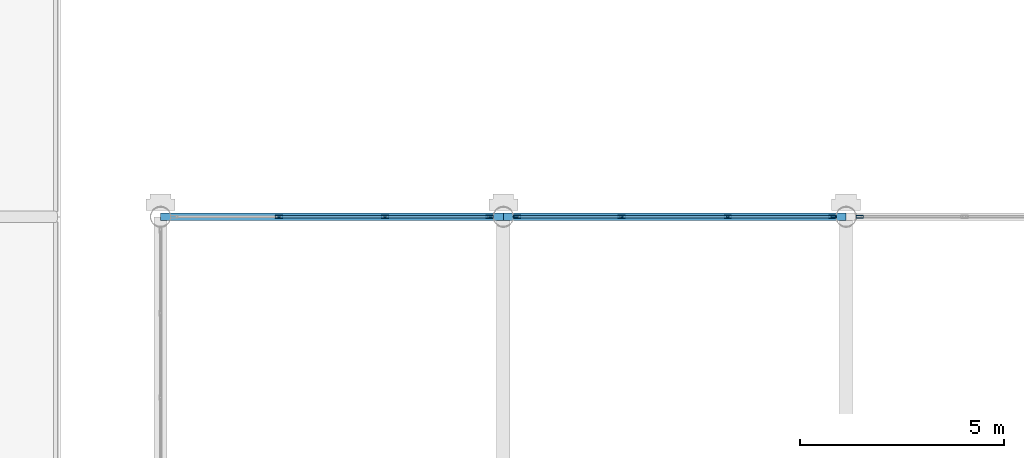
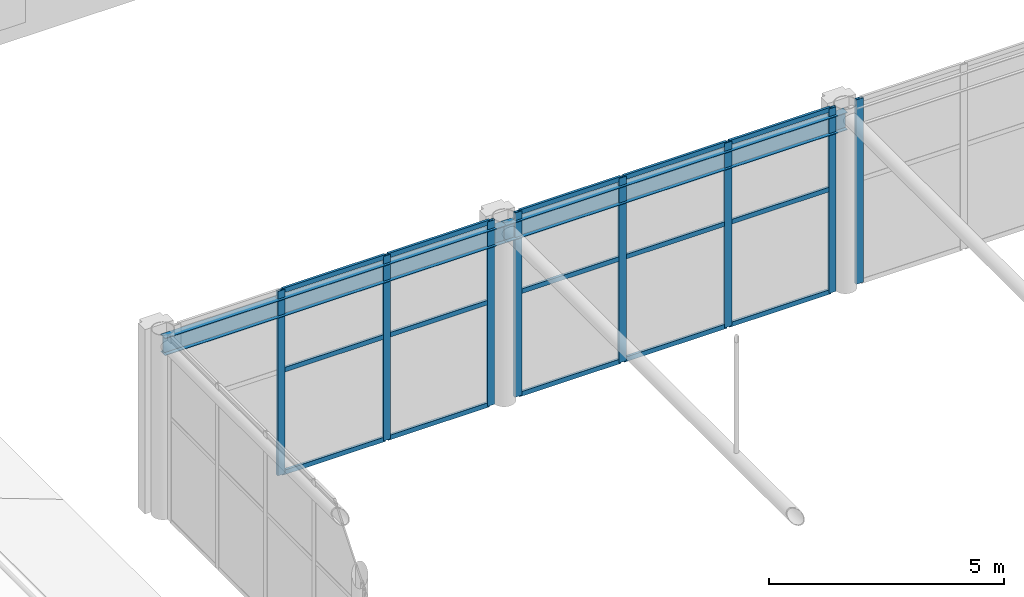
# One storey, part 77 of 167: 23 members, 2 beams, 3 elements without a shape of their own.
"""IFC4 building model written with IfcOpenShell, lengths in metres."""

from ifc_helpers import new_model, si_unit, direction, frame, origin, origin_2d, place, context, subcontext, project, spatial, hollow_rectangle, i_section, extrude, material, material_profile, profile_set, type_object, element, aggregate, save


model = new_model("IFC4")

# Units and contexts
model_context = context("Model", 3, precision=1e-05, world=origin(), true_north=direction((0.0, 1.0)))
body_context = subcontext(model_context, "Body", "Model", "MODEL_VIEW")
ifc_project = project(units=[si_unit("LENGTHUNIT", "METRE"), si_unit("AREAUNIT", "SQUARE_METRE"), si_unit("VOLUMEUNIT", "CUBIC_METRE"), si_unit("PLANEANGLEUNIT", "RADIAN"), si_unit("MASSUNIT", "GRAM", prefix="KILO")], contexts=[model_context])

# Site, building, storey
site_placement = place(None, origin())
site = spatial("IfcSite", under=ifc_project, at=site_placement, CompositionType="ELEMENT")
building_placement = place(site_placement, origin())
building = spatial("IfcBuilding", under=site, at=building_placement, Name="Catenary Quay Ferry Terminal", CompositionType="ELEMENT")
storey_placement = place(building_placement, frame((0.0, 0.0, 6.0)))
storey = spatial("IfcBuildingStorey", under=building, at=storey_placement, Name="L01", CompositionType="ELEMENT", Elevation=6.0)

# Beams
ifc_material_1 = material(Name="Steel S355", Category="steel")
ifc_material_profile_1 = material_profile(ifc_material_1, i_section(OverallWidth=0.18994140625, OverallDepth=0.453369140625, WebThickness=0.008544921875, FlangeThickness=0.0126953125, at=origin_2d()), Name="UB 457x191x67")
ifc_profile_set_1 = profile_set([ifc_material_profile_1], Name="Steel S355")
beam_type = type_object("IfcBeamType", Name="B1 UB 457x191x67", PredefinedType="BEAM", material=ifc_profile_set_1)
beam_1_placement = place(storey_placement, frame((25.199951171875, 142.800048828125, 4.373046875), z_axis=(1.0, 0.0, 0.0), x_axis=(0.0, 1.0, 0.0)))
element("IfcBeam", 1, at=beam_1_placement, inside=storey, type_object=beam_type, Name="Beam B1-025", PredefinedType="BEAM", context=body_context, shape_type="SweptSolid", body=[
    extrude(i_section(OverallWidth=0.18994140625, OverallDepth=0.453369140625, WebThickness=0.008544921875, FlangeThickness=0.0126953125, at=origin_2d()), origin(), (0.0, 0.0, 1.0), 8.400146484375),
])
beam_2_placement = place(storey_placement, frame((33.60009765625, 142.800048828125, 4.373046875), z_axis=(1.0, 0.0, 0.0), x_axis=(0.0, 1.0, 0.0)))
element("IfcBeam", 2, at=beam_2_placement, inside=storey, type_object=beam_type, Name="Beam B1-026", PredefinedType="BEAM", context=body_context, shape_type="SweptSolid", body=[
    extrude(i_section(OverallWidth=0.18994140625, OverallDepth=0.453369140625, WebThickness=0.008544921875, FlangeThickness=0.0126953125, at=origin_2d()), origin(), (0.0, 0.0, 1.0), 8.39990234375),
])

# Curtain wall, members
ifc_material_2 = material(Name="Aluminium and glass", Category="aluminium")
curtain_wall_type = type_object("IfcCurtainWallType", Name="CWH", PredefinedType="NOTDEFINED", material=ifc_material_2)
curtain_wall_1_placement = place(storey_placement, origin())
curtain_wall_1 = element("IfcCurtainWall", 3, at=curtain_wall_1_placement, inside=storey, type_object=curtain_wall_type, Name="Hall curtain wall CW48", PredefinedType="NOTDEFINED")
ifc_material_3 = material(Name="Aluminium", Category="aluminium")
ifc_material_profile_2 = material_profile(ifc_material_3, hollow_rectangle(XDim=0.070068359375, YDim=0.179931640625, WallThickness=0.006103515625, at=origin_2d()), Name="MU3")
ifc_profile_set_2 = profile_set([ifc_material_profile_2], Name="Aluminium")
member_type_1 = type_object("IfcMemberType", Name="MU3", PredefinedType="MULLION", material=ifc_profile_set_2)
member_1_placement = place(storey_placement, frame((28.10009765625, 142.800048828125, 0.0), z_axis=(0.0, 0.0, 1.0), x_axis=(0.0, 1.0, 0.0)))
member_1 = element("IfcMember", 4, at=member_1_placement, type_object=member_type_1, Name="CW48 mullion 2", PredefinedType="MULLION", context=body_context, shape_type="SweptSolid", body=[
    extrude(hollow_rectangle(XDim=0.070068359375, YDim=0.179931640625, WallThickness=0.006103515625, at=origin_2d()), origin(), (0.0, 0.0, 1.0), 4.800048828125),
])
member_2_placement = place(storey_placement, frame((30.699951171875, 142.800048828125, 0.0), z_axis=(0.0, 0.0, 1.0), x_axis=(0.0, 1.0, 0.0)))
member_2 = element("IfcMember", 5, at=member_2_placement, type_object=member_type_1, Name="CW48 mullion 3", PredefinedType="MULLION", context=body_context, shape_type="SweptSolid", body=[
    extrude(hollow_rectangle(XDim=0.070068359375, YDim=0.179931640625, WallThickness=0.006103515625, at=origin_2d()), origin(), (0.0, 0.0, 1.0), 4.800048828125),
])
member_3_placement = place(storey_placement, frame((33.264892578125, 142.800048828125, 0.0), z_axis=(0.0, 0.0, 1.0), x_axis=(0.0, 1.0, 0.0)))
member_3 = element("IfcMember", 6, at=member_3_placement, type_object=member_type_1, Name="CW48 mullion 4", PredefinedType="MULLION", context=body_context, shape_type="SweptSolid", body=[
    extrude(hollow_rectangle(XDim=0.070068359375, YDim=0.179931640625, WallThickness=0.006103515625, at=origin_2d()), origin(), (0.0, 0.0, 1.0), 4.800048828125),
])

curtain_wall_2_placement = place(storey_placement, origin())
curtain_wall_2 = element("IfcCurtainWall", 7, at=curtain_wall_2_placement, inside=storey, type_object=curtain_wall_type, Name="Hall curtain wall CW49", PredefinedType="NOTDEFINED")
member_4_placement = place(storey_placement, frame((33.93505859375, 142.800048828125, 0.0), z_axis=(0.0, 0.0, 1.0), x_axis=(0.0, 1.0, 0.0)))
member_4 = element("IfcMember", 8, at=member_4_placement, type_object=member_type_1, Name="CW49 mullion 1", PredefinedType="MULLION", context=body_context, shape_type="SweptSolid", body=[
    extrude(hollow_rectangle(XDim=0.070068359375, YDim=0.179931640625, WallThickness=0.006103515625, at=origin_2d()), origin(), (0.0, 0.0, 1.0), 4.800048828125),
])
member_5_placement = place(storey_placement, frame((36.5, 142.800048828125, 0.0), z_axis=(0.0, 0.0, 1.0), x_axis=(0.0, 1.0, 0.0)))
member_5 = element("IfcMember", 9, at=member_5_placement, type_object=member_type_1, Name="CW49 mullion 2", PredefinedType="MULLION", context=body_context, shape_type="SweptSolid", body=[
    extrude(hollow_rectangle(XDim=0.070068359375, YDim=0.179931640625, WallThickness=0.006103515625, at=origin_2d()), origin(), (0.0, 0.0, 1.0), 4.800048828125),
])
member_6_placement = place(storey_placement, frame((39.10009765625, 142.800048828125, 0.0), z_axis=(0.0, 0.0, 1.0), x_axis=(0.0, 1.0, 0.0)))
member_6 = element("IfcMember", 10, at=member_6_placement, type_object=member_type_1, Name="CW49 mullion 3", PredefinedType="MULLION", context=body_context, shape_type="SweptSolid", body=[
    extrude(hollow_rectangle(XDim=0.070068359375, YDim=0.179931640625, WallThickness=0.006103515625, at=origin_2d()), origin(), (0.0, 0.0, 1.0), 4.800048828125),
])
member_7_placement = place(storey_placement, frame((41.6650390625, 142.800048828125, 0.0), z_axis=(0.0, 0.0, 1.0), x_axis=(0.0, 1.0, 0.0)))
member_7 = element("IfcMember", 11, at=member_7_placement, type_object=member_type_1, Name="CW49 mullion 4", PredefinedType="MULLION", context=body_context, shape_type="SweptSolid", body=[
    extrude(hollow_rectangle(XDim=0.070068359375, YDim=0.179931640625, WallThickness=0.006103515625, at=origin_2d()), origin(), (0.0, 0.0, 1.0), 4.800048828125),
])

# Curtain wall, member
curtain_wall_3_placement = place(storey_placement, origin())
curtain_wall_3 = element("IfcCurtainWall", 12, at=curtain_wall_3_placement, inside=storey, type_object=curtain_wall_type, Name="Hall curtain wall CW50", PredefinedType="NOTDEFINED")
member_8_placement = place(storey_placement, frame((42.3349609375, 142.800048828125, 0.0), z_axis=(0.0, 0.0, 1.0), x_axis=(0.0, 1.0, 0.0)))
member_8 = element("IfcMember", 13, at=member_8_placement, type_object=member_type_1, Name="CW50 mullion 1", PredefinedType="MULLION", context=body_context, shape_type="SweptSolid", body=[
    extrude(hollow_rectangle(XDim=0.070068359375, YDim=0.179931640625, WallThickness=0.006103515625, at=origin_2d()), origin(), (0.0, 0.0, 1.0), 4.800048828125),
])
aggregate(curtain_wall_3, [member_8])

# Member
ifc_material_4 = material(Name="Aluminium", Category="aluminium")
ifc_material_profile_3 = material_profile(ifc_material_4, hollow_rectangle(XDim=0.06005859375, YDim=0.1201171875, WallThickness=0.0048828125, at=origin_2d()), Name="TR3")
ifc_profile_set_3 = profile_set([ifc_material_profile_3], Name="Aluminium")
member_type_2 = type_object("IfcMemberType", Name="TR3", PredefinedType="USERDEFINED", material=ifc_profile_set_3)
member_9_placement = place(storey_placement, frame((28.135009765625, 142.800048828125, 0.030029296875), z_axis=(1.0, 0.0, 0.0), x_axis=(0.0, 1.0, 0.0)))
member_9 = element("IfcMember", 14, at=member_9_placement, type_object=member_type_2, Name="CW48 transom 2.1", ObjectType="TRANSOM", PredefinedType="USERDEFINED", context=body_context, shape_type="SweptSolid", body=[
    extrude(hollow_rectangle(XDim=0.06005859375, YDim=0.1201171875, WallThickness=0.0048828125, at=origin_2d()), origin(), (0.0, 0.0, 1.0), 2.530029296875),
])

member_10_placement = place(storey_placement, frame((28.135009765625, 142.800048828125, 2.699951171875), z_axis=(1.0, 0.0, 0.0), x_axis=(0.0, 1.0, 0.0)))
member_10 = element("IfcMember", 15, at=member_10_placement, type_object=member_type_2, Name="CW48 transom 2.2", ObjectType="TRANSOM", PredefinedType="USERDEFINED", context=body_context, shape_type="SweptSolid", body=[
    extrude(hollow_rectangle(XDim=0.06005859375, YDim=0.1201171875, WallThickness=0.0048828125, at=origin_2d()), origin(), (0.0, 0.0, 1.0), 2.530029296875),
])

member_11_placement = place(storey_placement, frame((28.135009765625, 142.800048828125, 4.77001953125), z_axis=(1.0, 0.0, 0.0), x_axis=(0.0, 1.0, 0.0)))
member_11 = element("IfcMember", 16, at=member_11_placement, type_object=member_type_2, Name="CW48 transom 2.3", ObjectType="TRANSOM", PredefinedType="USERDEFINED", context=body_context, shape_type="SweptSolid", body=[
    extrude(hollow_rectangle(XDim=0.06005859375, YDim=0.1201171875, WallThickness=0.0048828125, at=origin_2d()), origin(), (0.0, 0.0, 1.0), 2.530029296875),
])

member_12_placement = place(storey_placement, frame((30.735107421875, 142.800048828125, 0.030029296875), z_axis=(1.0, 0.0, 0.0), x_axis=(0.0, 1.0, 0.0)))
member_12 = element("IfcMember", 17, at=member_12_placement, type_object=member_type_2, Name="CW48 transom 3.1", ObjectType="TRANSOM", PredefinedType="USERDEFINED", context=body_context, shape_type="SweptSolid", body=[
    extrude(hollow_rectangle(XDim=0.06005859375, YDim=0.1201171875, WallThickness=0.0048828125, at=origin_2d()), origin(), (0.0, 0.0, 1.0), 2.494873046875),
])

member_13_placement = place(storey_placement, frame((30.735107421875, 142.800048828125, 2.699951171875), z_axis=(1.0, 0.0, 0.0), x_axis=(0.0, 1.0, 0.0)))
member_13 = element("IfcMember", 18, at=member_13_placement, type_object=member_type_2, Name="CW48 transom 3.2", ObjectType="TRANSOM", PredefinedType="USERDEFINED", context=body_context, shape_type="SweptSolid", body=[
    extrude(hollow_rectangle(XDim=0.06005859375, YDim=0.1201171875, WallThickness=0.0048828125, at=origin_2d()), origin(), (0.0, 0.0, 1.0), 2.494873046875),
])

member_14_placement = place(storey_placement, frame((30.735107421875, 142.800048828125, 4.77001953125), z_axis=(1.0, 0.0, 0.0), x_axis=(0.0, 1.0, 0.0)))
member_14 = element("IfcMember", 19, at=member_14_placement, type_object=member_type_2, Name="CW48 transom 3.3", ObjectType="TRANSOM", PredefinedType="USERDEFINED", context=body_context, shape_type="SweptSolid", body=[
    extrude(hollow_rectangle(XDim=0.06005859375, YDim=0.1201171875, WallThickness=0.0048828125, at=origin_2d()), origin(), (0.0, 0.0, 1.0), 2.494873046875),
])

aggregate(curtain_wall_1, [member_1, member_2, member_3, member_9, member_10, member_11, member_12, member_13, member_14])

member_15_placement = place(storey_placement, frame((33.969970703125, 142.800048828125, 0.030029296875), z_axis=(1.0, 0.0, 0.0), x_axis=(0.0, 1.0, 0.0)))
member_15 = element("IfcMember", 20, at=member_15_placement, type_object=member_type_2, Name="CW49 transom 1.1", ObjectType="TRANSOM", PredefinedType="USERDEFINED", context=body_context, shape_type="SweptSolid", body=[
    extrude(hollow_rectangle(XDim=0.06005859375, YDim=0.1201171875, WallThickness=0.0048828125, at=origin_2d()), origin(), (0.0, 0.0, 1.0), 2.4951171875),
])

member_16_placement = place(storey_placement, frame((33.969970703125, 142.800048828125, 2.699951171875), z_axis=(1.0, 0.0, 0.0), x_axis=(0.0, 1.0, 0.0)))
member_16 = element("IfcMember", 21, at=member_16_placement, type_object=member_type_2, Name="CW49 transom 1.2", ObjectType="TRANSOM", PredefinedType="USERDEFINED", context=body_context, shape_type="SweptSolid", body=[
    extrude(hollow_rectangle(XDim=0.06005859375, YDim=0.1201171875, WallThickness=0.0048828125, at=origin_2d()), origin(), (0.0, 0.0, 1.0), 2.4951171875),
])

member_17_placement = place(storey_placement, frame((33.969970703125, 142.800048828125, 4.77001953125), z_axis=(1.0, 0.0, 0.0), x_axis=(0.0, 1.0, 0.0)))
member_17 = element("IfcMember", 22, at=member_17_placement, type_object=member_type_2, Name="CW49 transom 1.3", ObjectType="TRANSOM", PredefinedType="USERDEFINED", context=body_context, shape_type="SweptSolid", body=[
    extrude(hollow_rectangle(XDim=0.06005859375, YDim=0.1201171875, WallThickness=0.0048828125, at=origin_2d()), origin(), (0.0, 0.0, 1.0), 2.4951171875),
])

member_18_placement = place(storey_placement, frame((36.534912109375, 142.800048828125, 0.030029296875), z_axis=(1.0, 0.0, 0.0), x_axis=(0.0, 1.0, 0.0)))
member_18 = element("IfcMember", 23, at=member_18_placement, type_object=member_type_2, Name="CW49 transom 2.1", ObjectType="TRANSOM", PredefinedType="USERDEFINED", context=body_context, shape_type="SweptSolid", body=[
    extrude(hollow_rectangle(XDim=0.06005859375, YDim=0.1201171875, WallThickness=0.0048828125, at=origin_2d()), origin(), (0.0, 0.0, 1.0), 2.530029296875),
])

member_19_placement = place(storey_placement, frame((36.534912109375, 142.800048828125, 2.699951171875), z_axis=(1.0, 0.0, 0.0), x_axis=(0.0, 1.0, 0.0)))
member_19 = element("IfcMember", 24, at=member_19_placement, type_object=member_type_2, Name="CW49 transom 2.2", ObjectType="TRANSOM", PredefinedType="USERDEFINED", context=body_context, shape_type="SweptSolid", body=[
    extrude(hollow_rectangle(XDim=0.06005859375, YDim=0.1201171875, WallThickness=0.0048828125, at=origin_2d()), origin(), (0.0, 0.0, 1.0), 2.530029296875),
])

member_20_placement = place(storey_placement, frame((36.534912109375, 142.800048828125, 4.77001953125), z_axis=(1.0, 0.0, 0.0), x_axis=(0.0, 1.0, 0.0)))
member_20 = element("IfcMember", 25, at=member_20_placement, type_object=member_type_2, Name="CW49 transom 2.3", ObjectType="TRANSOM", PredefinedType="USERDEFINED", context=body_context, shape_type="SweptSolid", body=[
    extrude(hollow_rectangle(XDim=0.06005859375, YDim=0.1201171875, WallThickness=0.0048828125, at=origin_2d()), origin(), (0.0, 0.0, 1.0), 2.530029296875),
])

member_21_placement = place(storey_placement, frame((39.135009765625, 142.800048828125, 0.030029296875), z_axis=(1.0, 0.0, 0.0), x_axis=(0.0, 1.0, 0.0)))
member_21 = element("IfcMember", 26, at=member_21_placement, type_object=member_type_2, Name="CW49 transom 3.1", ObjectType="TRANSOM", PredefinedType="USERDEFINED", context=body_context, shape_type="SweptSolid", body=[
    extrude(hollow_rectangle(XDim=0.06005859375, YDim=0.1201171875, WallThickness=0.0048828125, at=origin_2d()), origin(), (0.0, 0.0, 1.0), 2.494873046875),
])

member_22_placement = place(storey_placement, frame((39.135009765625, 142.800048828125, 2.699951171875), z_axis=(1.0, 0.0, 0.0), x_axis=(0.0, 1.0, 0.0)))
member_22 = element("IfcMember", 27, at=member_22_placement, type_object=member_type_2, Name="CW49 transom 3.2", ObjectType="TRANSOM", PredefinedType="USERDEFINED", context=body_context, shape_type="SweptSolid", body=[
    extrude(hollow_rectangle(XDim=0.06005859375, YDim=0.1201171875, WallThickness=0.0048828125, at=origin_2d()), origin(), (0.0, 0.0, 1.0), 2.494873046875),
])

member_23_placement = place(storey_placement, frame((39.135009765625, 142.800048828125, 4.77001953125), z_axis=(1.0, 0.0, 0.0), x_axis=(0.0, 1.0, 0.0)))
member_23 = element("IfcMember", 28, at=member_23_placement, type_object=member_type_2, Name="CW49 transom 3.3", ObjectType="TRANSOM", PredefinedType="USERDEFINED", context=body_context, shape_type="SweptSolid", body=[
    extrude(hollow_rectangle(XDim=0.06005859375, YDim=0.1201171875, WallThickness=0.0048828125, at=origin_2d()), origin(), (0.0, 0.0, 1.0), 2.494873046875),
])

aggregate(curtain_wall_2, [member_4, member_5, member_6, member_7, member_15, member_16, member_17, member_18, member_19, member_20, member_21, member_22, member_23])

save(model, "model.ifc")
